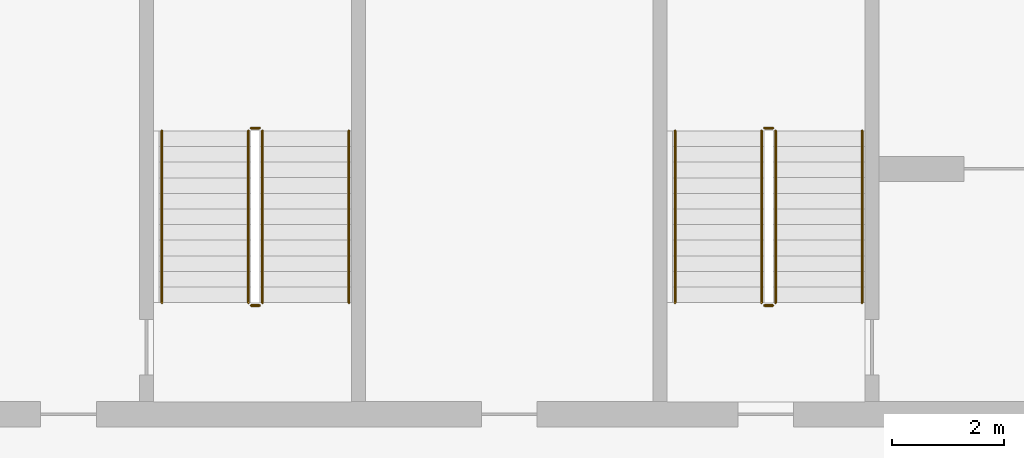
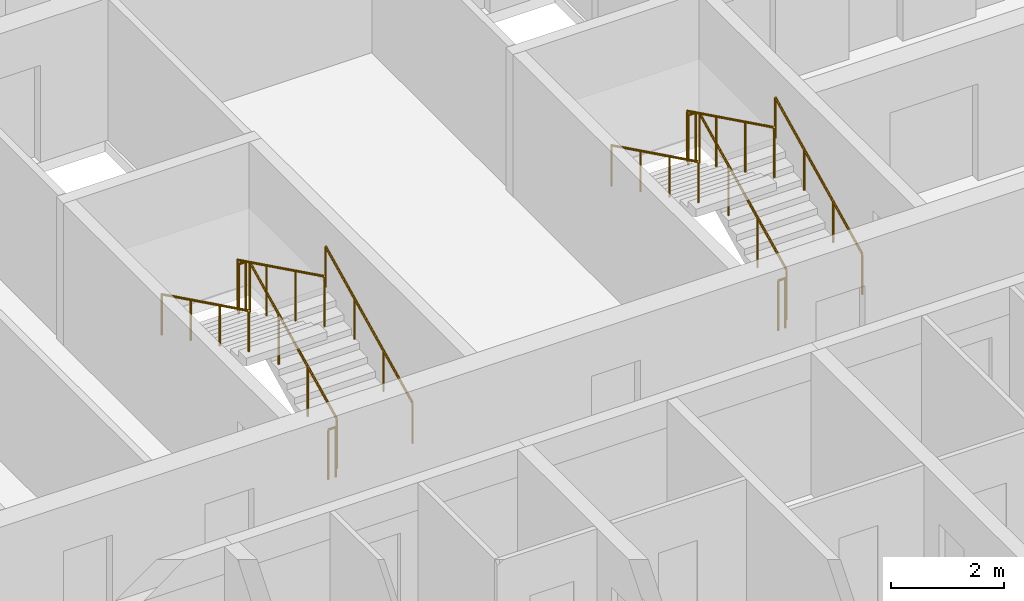
# One storey, part 14 of 31: 12 railings.
"""IFC4 building model written with IfcOpenShell, lengths in metres."""

from ifc_helpers import new_model, si_unit, direction, frame, origin, origin_2d, place, context, subcontext, project, spatial, circle, extrude, material, type_object, element, save


model = new_model("IFC4")

# Units and contexts
model_context = context("Model", 3, precision=1e-05, world=origin(), true_north=direction((0.0, 1.0)))
body_context = subcontext(model_context, "Body", "Model", "MODEL_VIEW")
ifc_project = project(units=[si_unit("LENGTHUNIT", "METRE"), si_unit("AREAUNIT", "SQUARE_METRE"), si_unit("VOLUMEUNIT", "CUBIC_METRE"), si_unit("PLANEANGLEUNIT", "RADIAN"), si_unit("MASSUNIT", "GRAM", prefix="KILO")], contexts=[model_context])

# Site, building, storey
site_placement = place(None, origin())
site = spatial("IfcSite", under=ifc_project, at=site_placement, CompositionType="ELEMENT")
building_placement = place(site_placement, origin())
building = spatial("IfcBuilding", under=site, at=building_placement, Name="Poui Terraces", CompositionType="ELEMENT")
storey_placement = place(building_placement, frame((0.0, 0.0, 142.199951171875)))
storey = spatial("IfcBuildingStorey", under=building, at=storey_placement, Name="L39", CompositionType="ELEMENT", Elevation=142.199951171875)

# Railings
ifc_material_1 = material(Name="Galvanised steel balustrade", Category="steel")
railing_type_1 = type_object("IfcRailingType", Name="STAIR GUARD 1100", PredefinedType="GUARDRAIL", material=ifc_material_1)
railing_1_placement = place(storey_placement, frame((32.074951171875, 16.60009765625, 0.137451171875)))
element("IfcRailing", 1, at=railing_1_placement, inside=storey, type_object=railing_type_1, Name="L39 ST-CW stair guard 1", PredefinedType="GUARDRAIL", context=body_context, shape_type="SweptSolid", body=[
    extrude(circle(Radius=0.02392578125, at=origin_2d()), frame((0.0, 0.0, 1.076171875), z_axis=(0.0, 0.897578036475, 0.440855609512), x_axis=(-1.0, 0.0, 0.0)), (0.0, 0.0, 1.0), 3.43115234375),
    extrude(circle(Radius=0.02099609375, at=origin_2d()), origin(), (0.0, 0.0, 1.0), 1.052001953125),
    extrude(circle(Radius=0.02099609375, at=origin_2d()), frame((0.0, 1.026611328125, 0.504150390625)), (0.0, 0.0, 1.0), 1.052001953125),
    extrude(circle(Radius=0.02099609375, at=origin_2d()), frame((0.0, 2.05322265625, 1.008544921875)), (0.0, 0.0, 1.0), 1.052001953125),
    extrude(circle(Radius=0.02099609375, at=origin_2d()), frame((0.0, 3.079833984375, 1.5126953125)), (0.0, 0.0, 1.0), 1.052001953125),
])
railing_2_placement = place(storey_placement, frame((32.02490234375, 19.72998046875, 1.650146484375)))
element("IfcRailing", 2, at=railing_2_placement, inside=storey, type_object=railing_type_1, Name="L39 ST-CW stair guard 2", PredefinedType="GUARDRAIL", context=body_context, shape_type="SweptSolid", body=[
    extrude(circle(Radius=0.02392578125, at=origin_2d()), frame((0.0, 0.0, 1.076171875), z_axis=(-1.0, 0.0, 0.0), x_axis=(0.0, -1.0, 0.0)), (0.0, 0.0, 1.0), 0.14990234375),
    extrude(circle(Radius=0.02099609375, at=origin_2d()), origin(), (0.0, 0.0, 1.0), 1.052001953125),
    extrude(circle(Radius=0.02099609375, at=origin_2d()), frame((-0.14990234375, 0.0, 0.0)), (0.0, 0.0, 1.0), 1.052001953125),
])
railing_3_placement = place(storey_placement, frame((31.824951171875, 19.679931640625, 1.78759765625)))
element("IfcRailing", 3, at=railing_3_placement, inside=storey, type_object=railing_type_1, Name="L39 ST-CW stair guard 3", PredefinedType="GUARDRAIL", context=body_context, shape_type="SweptSolid", body=[
    extrude(circle(Radius=0.02392578125, at=origin_2d()), frame((0.0, 0.0, 1.076171875), z_axis=(0.0, -0.897606190399, 0.440798283751), x_axis=(1.0, 0.0, 0.0)), (0.0, 0.0, 1.0), 3.43115234375),
    extrude(circle(Radius=0.02099609375, at=origin_2d()), origin(), (0.0, 0.0, 1.0), 1.052001953125),
    extrude(circle(Radius=0.02099609375, at=origin_2d()), frame((0.0, -1.026611328125, 0.504150390625)), (0.0, 0.0, 1.0), 1.052001953125),
    extrude(circle(Radius=0.02099609375, at=origin_2d()), frame((0.0, -2.05322265625, 1.00830078125)), (0.0, 0.0, 1.0), 1.052001953125),
    extrude(circle(Radius=0.02099609375, at=origin_2d()), frame((0.0, -3.079833984375, 1.512451171875)), (0.0, 0.0, 1.0), 1.052001953125),
])
railing_4_placement = place(storey_placement, frame((32.02490234375, 16.550048828125, 0.0)))
element("IfcRailing", 4, at=railing_4_placement, inside=storey, type_object=railing_type_1, Name="L39 ST-CW stair guard 4", PredefinedType="GUARDRAIL", context=body_context, shape_type="SweptSolid", body=[
    extrude(circle(Radius=0.02392578125, at=origin_2d()), frame((0.0, 0.0, 1.076171875), z_axis=(-1.0, 0.0, 0.0), x_axis=(0.0, -1.0, 0.0)), (0.0, 0.0, 1.0), 0.14990234375),
    extrude(circle(Radius=0.02099609375, at=origin_2d()), origin(), (0.0, 0.0, 1.0), 1.052001953125),
    extrude(circle(Radius=0.02099609375, at=origin_2d()), frame((-0.14990234375, 0.0, 0.0)), (0.0, 0.0, 1.0), 1.052001953125),
])
railing_5_placement = place(storey_placement, frame((22.875, 16.60009765625, 0.137451171875)))
element("IfcRailing", 5, at=railing_5_placement, inside=storey, type_object=railing_type_1, Name="L39 ST-W stair guard 1", PredefinedType="GUARDRAIL", context=body_context, shape_type="SweptSolid", body=[
    extrude(circle(Radius=0.02392578125, at=origin_2d()), frame((0.0, 0.0, 1.076171875), z_axis=(0.0, 0.897578036475, 0.440855609512), x_axis=(-1.0, 0.0, 0.0)), (0.0, 0.0, 1.0), 3.43115234375),
    extrude(circle(Radius=0.02099609375, at=origin_2d()), origin(), (0.0, 0.0, 1.0), 1.052001953125),
    extrude(circle(Radius=0.02099609375, at=origin_2d()), frame((0.0, 1.026611328125, 0.504150390625)), (0.0, 0.0, 1.0), 1.052001953125),
    extrude(circle(Radius=0.02099609375, at=origin_2d()), frame((0.0, 2.05322265625, 1.008544921875)), (0.0, 0.0, 1.0), 1.052001953125),
    extrude(circle(Radius=0.02099609375, at=origin_2d()), frame((0.0, 3.079833984375, 1.5126953125)), (0.0, 0.0, 1.0), 1.052001953125),
])
railing_6_placement = place(storey_placement, frame((22.824951171875, 19.72998046875, 1.650146484375)))
element("IfcRailing", 6, at=railing_6_placement, inside=storey, type_object=railing_type_1, Name="L39 ST-W stair guard 2", PredefinedType="GUARDRAIL", context=body_context, shape_type="SweptSolid", body=[
    extrude(circle(Radius=0.02392578125, at=origin_2d()), frame((0.0, 0.0, 1.076171875), z_axis=(-1.0, 0.0, 0.0), x_axis=(0.0, -1.0, 0.0)), (0.0, 0.0, 1.0), 0.14990234375),
    extrude(circle(Radius=0.02099609375, at=origin_2d()), origin(), (0.0, 0.0, 1.0), 1.052001953125),
    extrude(circle(Radius=0.02099609375, at=origin_2d()), frame((-0.14990234375, 0.0, 0.0)), (0.0, 0.0, 1.0), 1.052001953125),
])
railing_7_placement = place(storey_placement, frame((22.625, 19.679931640625, 1.78759765625)))
element("IfcRailing", 7, at=railing_7_placement, inside=storey, type_object=railing_type_1, Name="L39 ST-W stair guard 3", PredefinedType="GUARDRAIL", context=body_context, shape_type="SweptSolid", body=[
    extrude(circle(Radius=0.02392578125, at=origin_2d()), frame((0.0, 0.0, 1.076171875), z_axis=(0.0, -0.897606190399, 0.440798283751), x_axis=(1.0, 0.0, 0.0)), (0.0, 0.0, 1.0), 3.43115234375),
    extrude(circle(Radius=0.02099609375, at=origin_2d()), origin(), (0.0, 0.0, 1.0), 1.052001953125),
    extrude(circle(Radius=0.02099609375, at=origin_2d()), frame((0.0, -1.026611328125, 0.504150390625)), (0.0, 0.0, 1.0), 1.052001953125),
    extrude(circle(Radius=0.02099609375, at=origin_2d()), frame((0.0, -2.05322265625, 1.00830078125)), (0.0, 0.0, 1.0), 1.052001953125),
    extrude(circle(Radius=0.02099609375, at=origin_2d()), frame((0.0, -3.079833984375, 1.512451171875)), (0.0, 0.0, 1.0), 1.052001953125),
])
railing_8_placement = place(storey_placement, frame((22.824951171875, 16.550048828125, 0.0)))
element("IfcRailing", 8, at=railing_8_placement, inside=storey, type_object=railing_type_1, Name="L39 ST-W stair guard 4", PredefinedType="GUARDRAIL", context=body_context, shape_type="SweptSolid", body=[
    extrude(circle(Radius=0.02392578125, at=origin_2d()), frame((0.0, 0.0, 1.076171875), z_axis=(-1.0, 0.0, 0.0), x_axis=(0.0, -1.0, 0.0)), (0.0, 0.0, 1.0), 0.14990234375),
    extrude(circle(Radius=0.02099609375, at=origin_2d()), origin(), (0.0, 0.0, 1.0), 1.052001953125),
    extrude(circle(Radius=0.02099609375, at=origin_2d()), frame((-0.14990234375, 0.0, 0.0)), (0.0, 0.0, 1.0), 1.052001953125),
])
ifc_material_2 = material(Name="Stainless steel handrail", Category="steel")
railing_type_2 = type_object("IfcRailingType", Name="STAIR HANDRAIL 900", PredefinedType="HANDRAIL", material=ifc_material_2)
railing_9_placement = place(storey_placement, frame((33.625, 16.60009765625, 0.137451171875)))
element("IfcRailing", 9, at=railing_9_placement, inside=storey, type_object=railing_type_2, Name="L39 ST-CW stair handrail 1", PredefinedType="HANDRAIL", context=body_context, shape_type="SweptSolid", body=[
    extrude(circle(Radius=0.02392578125, at=origin_2d()), frame((0.0, 0.0, 0.8759765625), z_axis=(0.0, 0.897578036475, 0.440855609512), x_axis=(-1.0, 0.0, 0.0)), (0.0, 0.0, 1.0), 3.43115234375),
    extrude(circle(Radius=0.02099609375, at=origin_2d()), origin(), (0.0, 0.0, 1.0), 0.851806640625),
    extrude(circle(Radius=0.02099609375, at=origin_2d()), frame((0.0, 1.026611328125, 0.504150390625)), (0.0, 0.0, 1.0), 0.851806640625),
    extrude(circle(Radius=0.02099609375, at=origin_2d()), frame((0.0, 2.05322265625, 1.008544921875)), (0.0, 0.0, 1.0), 0.851806640625),
    extrude(circle(Radius=0.02099609375, at=origin_2d()), frame((0.0, 3.079833984375, 1.5126953125)), (0.0, 0.0, 1.0), 0.851806640625),
])
railing_10_placement = place(storey_placement, frame((30.27490234375, 19.679931640625, 1.78759765625)))
element("IfcRailing", 10, at=railing_10_placement, inside=storey, type_object=railing_type_2, Name="L39 ST-CW stair handrail 2", PredefinedType="HANDRAIL", context=body_context, shape_type="SweptSolid", body=[
    extrude(circle(Radius=0.02392578125, at=origin_2d()), frame((0.0, 0.0, 0.8759765625), z_axis=(0.0, -0.897606190399, 0.440798283751), x_axis=(1.0, 0.0, 0.0)), (0.0, 0.0, 1.0), 3.43115234375),
    extrude(circle(Radius=0.02099609375, at=origin_2d()), origin(), (0.0, 0.0, 1.0), 0.851806640625),
    extrude(circle(Radius=0.02099609375, at=origin_2d()), frame((0.0, -1.026611328125, 0.504150390625)), (0.0, 0.0, 1.0), 0.851806640625),
    extrude(circle(Radius=0.02099609375, at=origin_2d()), frame((0.0, -2.05322265625, 1.00830078125)), (0.0, 0.0, 1.0), 0.851806640625),
    extrude(circle(Radius=0.02099609375, at=origin_2d()), frame((0.0, -3.079833984375, 1.512451171875)), (0.0, 0.0, 1.0), 0.851806640625),
])
railing_11_placement = place(storey_placement, frame((24.425048828125, 16.60009765625, 0.137451171875)))
element("IfcRailing", 11, at=railing_11_placement, inside=storey, type_object=railing_type_2, Name="L39 ST-W stair handrail 1", PredefinedType="HANDRAIL", context=body_context, shape_type="SweptSolid", body=[
    extrude(circle(Radius=0.02392578125, at=origin_2d()), frame((0.0, 0.0, 0.8759765625), z_axis=(0.0, 0.897578036475, 0.440855609512), x_axis=(-1.0, 0.0, 0.0)), (0.0, 0.0, 1.0), 3.43115234375),
    extrude(circle(Radius=0.02099609375, at=origin_2d()), origin(), (0.0, 0.0, 1.0), 0.851806640625),
    extrude(circle(Radius=0.02099609375, at=origin_2d()), frame((0.0, 1.026611328125, 0.504150390625)), (0.0, 0.0, 1.0), 0.851806640625),
    extrude(circle(Radius=0.02099609375, at=origin_2d()), frame((0.0, 2.05322265625, 1.008544921875)), (0.0, 0.0, 1.0), 0.851806640625),
    extrude(circle(Radius=0.02099609375, at=origin_2d()), frame((0.0, 3.079833984375, 1.5126953125)), (0.0, 0.0, 1.0), 0.851806640625),
])
railing_12_placement = place(storey_placement, frame((21.074951171875, 19.679931640625, 1.78759765625)))
element("IfcRailing", 12, at=railing_12_placement, inside=storey, type_object=railing_type_2, Name="L39 ST-W stair handrail 2", PredefinedType="HANDRAIL", context=body_context, shape_type="SweptSolid", body=[
    extrude(circle(Radius=0.02392578125, at=origin_2d()), frame((0.0, 0.0, 0.8759765625), z_axis=(0.0, -0.897606190399, 0.440798283751), x_axis=(1.0, 0.0, 0.0)), (0.0, 0.0, 1.0), 3.43115234375),
    extrude(circle(Radius=0.02099609375, at=origin_2d()), origin(), (0.0, 0.0, 1.0), 0.851806640625),
    extrude(circle(Radius=0.02099609375, at=origin_2d()), frame((0.0, -1.026611328125, 0.504150390625)), (0.0, 0.0, 1.0), 0.851806640625),
    extrude(circle(Radius=0.02099609375, at=origin_2d()), frame((0.0, -2.05322265625, 1.00830078125)), (0.0, 0.0, 1.0), 0.851806640625),
    extrude(circle(Radius=0.02099609375, at=origin_2d()), frame((0.0, -3.079833984375, 1.512451171875)), (0.0, 0.0, 1.0), 0.851806640625),
])

save(model, "model.ifc")
